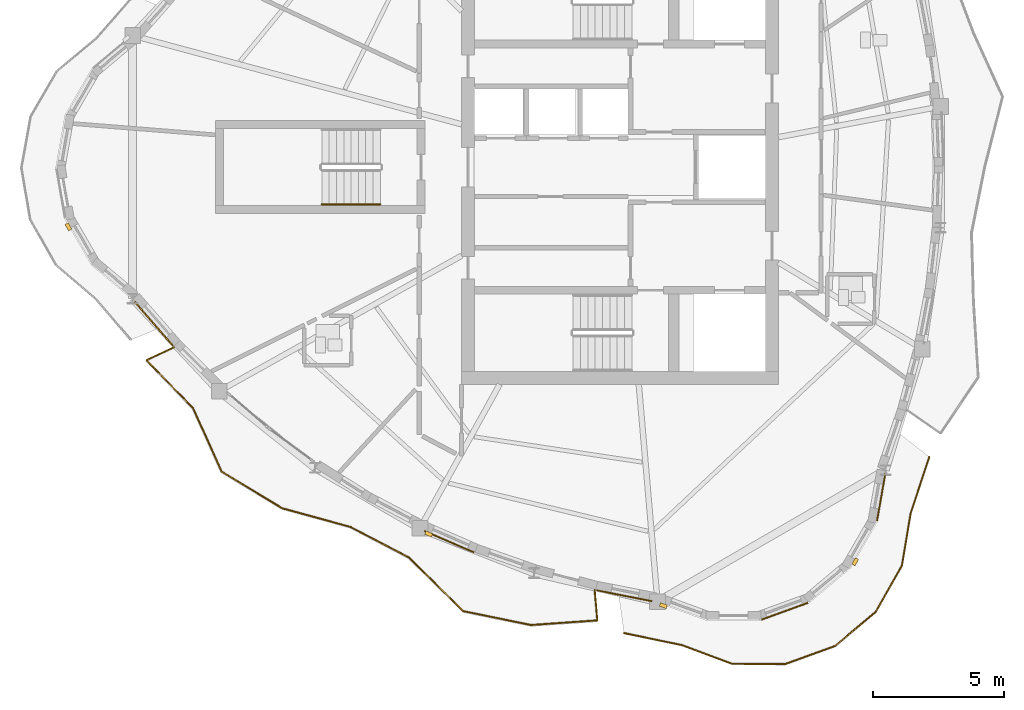
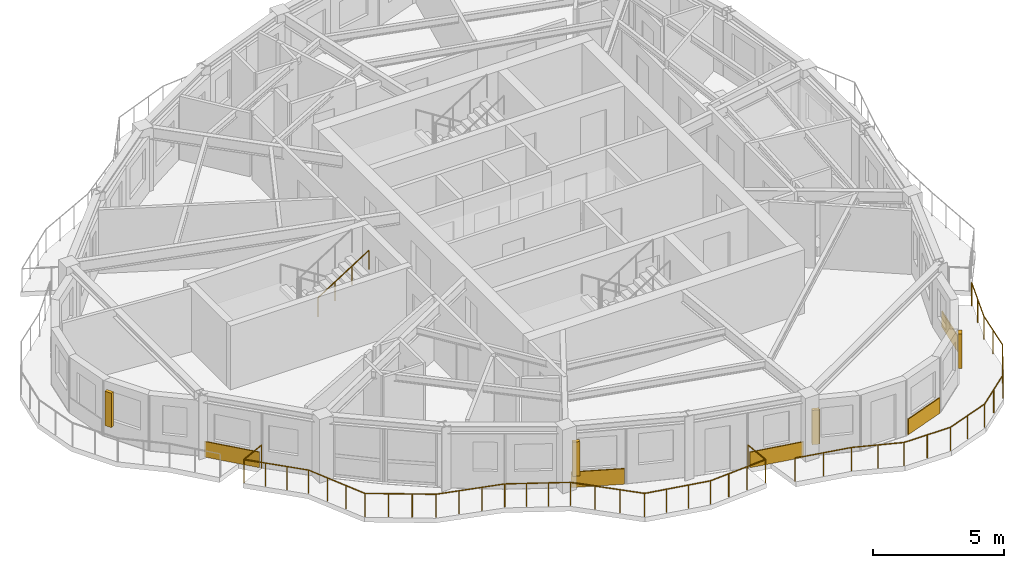
# One storey, part 10 of 13: 5 coverings, 4 shading devices, 3 railings.
"""IFC4 building model written with IfcOpenShell, lengths in metres."""

from ifc_helpers import new_model, si_unit, direction, frame, origin, origin_2d, place, context, subcontext, project, spatial, rectangle, circle, extrude, source, transform, mapped, material, layer, layer_set, type_object, element, save


model = new_model("IFC4")

# Units and contexts
model_context = context("Model", 3, precision=1e-05, world=origin(), true_north=direction((0.0, 1.0)))
body_context = subcontext(model_context, "Body", "Model", "MODEL_VIEW")
ifc_project = project(units=[si_unit("LENGTHUNIT", "METRE"), si_unit("AREAUNIT", "SQUARE_METRE"), si_unit("VOLUMEUNIT", "CUBIC_METRE"), si_unit("PLANEANGLEUNIT", "RADIAN"), si_unit("MASSUNIT", "GRAM", prefix="KILO")], contexts=[model_context])

# Site, building, storey
site_placement = place(None, origin())
site = spatial("IfcSite", under=ifc_project, at=site_placement, CompositionType="ELEMENT")
building_placement = place(site_placement, origin())
building = spatial("IfcBuilding", under=site, at=building_placement, Name="Qafzar Sky-Pleat Residences", CompositionType="ELEMENT")
storey_placement = place(building_placement, frame((0.0, 0.0, 195.60009765625)))
storey = spatial("IfcBuildingStorey", under=building, at=storey_placement, Name="L58", CompositionType="ELEMENT", Elevation=195.60009765625)

# Shading devices
ifc_material_1 = material(Name="Honed Riyadh limestone solar fin", Category="masonry")
ifc_layer_1 = layer(ifc_material_1, 0.139892578125)
ifc_layer_set_1 = layer_set([ifc_layer_1], Name="Honed Riyadh limestone solar fin")
shading_device_type = type_object("IfcShadingDeviceType", Name="SHD-FIN-STONE", PredefinedType="SHUTTER", material=ifc_layer_set_1)
shared_shape_1 = source(origin(), body_context, "Body", "SweptSolid", [
    extrude(rectangle(XDim=0.139892578125, YDim=0.280029296875, at=origin_2d()), origin(), (0.0, 0.0, 1.0), 1.60009765625),
])
for number, where, z_axis, x_axis, name in (
    (1, (9.28466796875, 23.72216796875, 0.599853515625), (0.0, 0.0, 1.0), (-0.86604422228, -0.499967403994, 0.0), "L58 Limestone Solar Fin 5"),
    (2, (23.043701171875, 11.990966796875, 0.599853515625), (0.0, 0.0, 1.0), (-0.398671159383, -0.917093946483, 0.0), "L58 Limestone Solar Fin 13"),
    (3, (32.003173828125, 9.256591796875, 0.599853515625), (0.0, 0.0, 1.0), (-0.342053959704, -0.939680311942, 0.0), "L58 Limestone Solar Fin 17"),
    (4, (39.330322265625, 10.930908203125, 0.599853515625), (0.0, 0.0, 1.0), (0.86604422228, -0.499967403994, 0.0), "L58 Limestone Solar Fin 21"),
):
    element("IfcShadingDevice", number, at=place(storey_placement, frame(where, z_axis=z_axis, x_axis=x_axis)), inside=storey, type_object=shading_device_type, Name=name, PredefinedType="SHUTTER", context=body_context, shape_type="MappedRepresentation", body=[
        mapped(shared_shape_1, transform((0.0, 0.0, 0.0), x_axis=(1.0, 0.0, 0.0), y_axis=(0.0, 1.0, 0.0), z_axis=(0.0, 0.0, 1.0), scale=1.0)),
    ])

# Coverings
ifc_material_2 = material(Name="Honed Riyadh Tuwaiq limestone cladding", Category="masonry")
ifc_layer_2 = layer(ifc_material_2, 0.044921875)
ifc_layer_set_2 = layer_set([ifc_layer_2], Name="Honed Riyadh Tuwaiq limestone cladding")
covering_type = type_object("IfcCoveringType", Name="COV-CLAD-STONE", PredefinedType="CLADDING", material=ifc_layer_set_2)
shared_shape_2 = source(origin(), body_context, "Body", "SweptSolid", [
    extrude(rectangle(XDim=1.88134765625, YDim=0.044921875, at=origin_2d()), origin(), (0.0, 0.0, 1.0), 0.719970703125),
])
covering_1_placement = place(storey_placement, frame((36.64111328125, 9.041748046875, 0.02001953125), z_axis=(0.0, 0.0, 1.0), x_axis=(0.939694209735, 0.342015777694, 0.0)))
element("IfcCovering", 5, at=covering_1_placement, inside=storey, type_object=covering_type, Name="L58 Riyadh Limestone Spandrel Cladding 19", PredefinedType="CLADDING", context=body_context, shape_type="MappedRepresentation", body=[
    mapped(shared_shape_2, transform((0.0, 0.0, 0.0), x_axis=(1.0, 0.0, 0.0), y_axis=(0.0, 1.0, 0.0), z_axis=(0.0, 0.0, 1.0), scale=1.0)),
])
shared_shape_3 = source(origin(), body_context, "Body", "SweptSolid", [
    extrude(rectangle(XDim=1.8291015625, YDim=0.044921875, at=origin_2d()), origin(), (0.0, 0.0, 1.0), 0.719970703125),
])
covering_2_placement = place(storey_placement, frame((40.32177734375, 13.40576171875, 0.02001953125), z_axis=(0.0, 0.0, 1.0), x_axis=(0.173695508338, 0.984799406165, 0.0)))
element("IfcCovering", 6, at=covering_2_placement, inside=storey, type_object=covering_type, Name="L58 Riyadh Limestone Spandrel Cladding 22", PredefinedType="CLADDING", context=body_context, shape_type="MappedRepresentation", body=[
    mapped(shared_shape_3, transform((0.0, 0.0, 0.0), x_axis=(1.0, 0.0, 0.0), y_axis=(0.0, 1.0, 0.0), z_axis=(0.0, 0.0, 1.0), scale=1.0)),
])

# Railings
ifc_material_3 = material(Name="Laminated glass and bronze steel balustrade", Category="steel")
railing_type_1 = type_object("IfcRailingType", Name="RAIL-BAL-1100", PredefinedType="BALUSTRADE", material=ifc_material_3)
shared_shape_4 = source(origin(), body_context, "Body", "SweptSolid", [
    extrude(circle(Radius=0.02392578125, at=origin_2d()), frame((0.0, 0.0, 1.076171875), z_axis=(-0.905536084906, -0.424269252873, 0.0), x_axis=(0.424269252873, -0.905536084906, 0.0)), (0.0, 0.0, 1.0), 1.177978515625),
    extrude(circle(Radius=0.02392578125, at=origin_2d()), frame((-1.066650390625, -0.499755859375, 1.076171875), z_axis=(0.69523722548, -0.718780356094, 0.0), x_axis=(0.718780356094, 0.69523722548, 0.0)), (0.0, 0.0, 1.0), 2.561279296875),
    extrude(circle(Radius=0.02392578125, at=origin_2d()), frame((0.714111328125, -2.3408203125, 1.076171875), z_axis=(0.409639012053, -0.912247707481, 0.0), x_axis=(0.912247707481, 0.409639012053, 0.0)), (0.0, 0.0, 1.0), 2.644287109375),
    extrude(circle(Radius=0.02392578125, at=origin_2d()), frame((1.79736328125, -4.753173828125, 1.076171875), z_axis=(0.855319046053, -0.518101659386, 0.0), x_axis=(0.518101659386, 0.855319046053, 0.0)), (0.0, 0.0, 1.0), 2.704833984375),
    extrude(circle(Radius=0.02392578125, at=origin_2d()), frame((4.11083984375, -6.154541015625, 1.076171875), z_axis=(0.964447609451, -0.264274116449, 0.0), x_axis=(0.264274116449, 0.964447609451, 0.0)), (0.0, 0.0, 1.0), 2.714111328125),
    extrude(circle(Radius=0.02392578125, at=origin_2d()), frame((6.728515625, -6.871826171875, 1.076171875), z_axis=(0.885758969061, -0.464145503832, 0.0), x_axis=(0.464145503832, 0.885758969061, 0.0)), (0.0, 0.0, 1.0), 2.502685546875),
    extrude(circle(Radius=0.02392578125, at=origin_2d()), frame((8.9453125, -8.033447265625, 1.076171875), z_axis=(0.71288863723, -0.701277256802, 0.0), x_axis=(0.701277256802, 0.71288863723, 0.0)), (0.0, 0.0, 1.0), 2.922607421875),
    extrude(circle(Radius=0.02392578125, at=origin_2d()), frame((11.02880859375, -10.0830078125, 1.076171875), z_axis=(0.9795526684, -0.201187896827, 0.0), x_axis=(0.201187896827, 0.9795526684, 0.0)), (0.0, 0.0, 1.0), 2.636962890625),
    extrude(circle(Radius=0.02392578125, at=origin_2d()), frame((13.61181640625, -10.613525390625, 1.076171875), z_axis=(0.997566397421, 0.069722899656, 0.0), x_axis=(-0.069722899656, 0.997566397421, 0.0)), (0.0, 0.0, 1.0), 2.53857421875),
    extrude(circle(Radius=0.02392578125, at=origin_2d()), frame((16.144287109375, -10.4365234375, 1.076171875), z_axis=(-0.085189498507, 0.996364767213, 0.0), x_axis=(-0.996364767213, -0.085189498507, 0.0)), (0.0, 0.0, 1.0), 1.177978515625),
    extrude(circle(Radius=0.02099609375, at=origin_2d()), origin(), (0.0, 0.0, 1.0), 1.052001953125),
    extrude(circle(Radius=0.02099609375, at=origin_2d()), frame((-1.066650390625, -0.499755859375, 0.0)), (0.0, 0.0, 1.0), 1.052001953125),
    extrude(circle(Radius=0.02099609375, at=origin_2d()), frame((-0.47314453125, -1.113525390625, 0.0)), (0.0, 0.0, 1.0), 1.052001953125),
    extrude(circle(Radius=0.02099609375, at=origin_2d()), frame((0.12060546875, -1.72705078125, 0.0)), (0.0, 0.0, 1.0), 1.052001953125),
    extrude(circle(Radius=0.02099609375, at=origin_2d()), frame((0.714111328125, -2.3408203125, 0.0)), (0.0, 0.0, 1.0), 1.052001953125),
    extrude(circle(Radius=0.02099609375, at=origin_2d()), frame((1.0751953125, -3.14501953125, 0.0)), (0.0, 0.0, 1.0), 1.052001953125),
    extrude(circle(Radius=0.02099609375, at=origin_2d()), frame((1.436279296875, -3.948974609375, 0.0)), (0.0, 0.0, 1.0), 1.052001953125),
    extrude(circle(Radius=0.02099609375, at=origin_2d()), frame((1.79736328125, -4.753173828125, 0.0)), (0.0, 0.0, 1.0), 1.052001953125),
    extrude(circle(Radius=0.02099609375, at=origin_2d()), frame((2.568603515625, -5.22021484375, 0.0)), (0.0, 0.0, 1.0), 1.052001953125),
    extrude(circle(Radius=0.02099609375, at=origin_2d()), frame((3.339599609375, -5.6875, 0.0)), (0.0, 0.0, 1.0), 1.052001953125),
    extrude(circle(Radius=0.02099609375, at=origin_2d()), frame((4.11083984375, -6.154541015625, 0.0)), (0.0, 0.0, 1.0), 1.052001953125),
    extrude(circle(Radius=0.02099609375, at=origin_2d()), frame((4.9833984375, -6.3935546875, 0.0)), (0.0, 0.0, 1.0), 1.052001953125),
    extrude(circle(Radius=0.02099609375, at=origin_2d()), frame((5.85595703125, -6.6328125, 0.0)), (0.0, 0.0, 1.0), 1.052001953125),
    extrude(circle(Radius=0.02099609375, at=origin_2d()), frame((6.728515625, -6.871826171875, 0.0)), (0.0, 0.0, 1.0), 1.052001953125),
    extrude(circle(Radius=0.02099609375, at=origin_2d()), frame((7.467529296875, -7.259033203125, 0.0)), (0.0, 0.0, 1.0), 1.052001953125),
    extrude(circle(Radius=0.02099609375, at=origin_2d()), frame((8.206298828125, -7.646240234375, 0.0)), (0.0, 0.0, 1.0), 1.052001953125),
    extrude(circle(Radius=0.02099609375, at=origin_2d()), frame((8.9453125, -8.033447265625, 0.0)), (0.0, 0.0, 1.0), 1.052001953125),
    extrude(circle(Radius=0.02099609375, at=origin_2d()), frame((9.639892578125, -8.716552734375, 0.0)), (0.0, 0.0, 1.0), 1.052001953125),
    extrude(circle(Radius=0.02099609375, at=origin_2d()), frame((10.334228515625, -9.39990234375, 0.0)), (0.0, 0.0, 1.0), 1.052001953125),
    extrude(circle(Radius=0.02099609375, at=origin_2d()), frame((11.02880859375, -10.0830078125, 0.0)), (0.0, 0.0, 1.0), 1.052001953125),
    extrude(circle(Radius=0.02099609375, at=origin_2d()), frame((11.889892578125, -10.259765625, 0.0)), (0.0, 0.0, 1.0), 1.052001953125),
    extrude(circle(Radius=0.02099609375, at=origin_2d()), frame((12.750732421875, -10.436767578125, 0.0)), (0.0, 0.0, 1.0), 1.052001953125),
    extrude(circle(Radius=0.02099609375, at=origin_2d()), frame((13.61181640625, -10.613525390625, 0.0)), (0.0, 0.0, 1.0), 1.052001953125),
    extrude(circle(Radius=0.02099609375, at=origin_2d()), frame((14.4560546875, -10.554443359375, 0.0)), (0.0, 0.0, 1.0), 1.052001953125),
    extrude(circle(Radius=0.02099609375, at=origin_2d()), frame((15.300048828125, -10.49560546875, 0.0)), (0.0, 0.0, 1.0), 1.052001953125),
    extrude(circle(Radius=0.02099609375, at=origin_2d()), frame((16.144287109375, -10.4365234375, 0.0)), (0.0, 0.0, 1.0), 1.052001953125),
    extrude(circle(Radius=0.02099609375, at=origin_2d()), frame((16.0439453125, -9.262939453125, 0.0)), (0.0, 0.0, 1.0), 1.052001953125),
])
railing_1_placement = place(storey_placement, frame((13.33740234375, 19.129638671875, 0.0)))
element("IfcRailing", 7, at=railing_1_placement, inside=storey, type_object=railing_type_1, Name="L58 Pleated Balcony 3 Balustrade", PredefinedType="BALUSTRADE", context=body_context, shape_type="MappedRepresentation", body=[
    mapped(shared_shape_4, transform((0.0, 0.0, 0.0), x_axis=(1.0, 0.0, 0.0), y_axis=(0.0, 1.0, 0.0), z_axis=(0.0, 0.0, 1.0), scale=1.0)),
])
shared_shape_5 = source(origin(), body_context, "Body", "SweptSolid", [
    extrude(circle(Radius=0.02392578125, at=origin_2d()), frame((0.0, 0.0, 1.076171875), z_axis=(-0.313353194125, -0.949636654585, 0.0), x_axis=(0.949636654585, -0.313353194125, 0.0)), (0.0, 0.0, 1.0), 2.268798828125),
    extrude(circle(Radius=0.02392578125, at=origin_2d()), frame((-0.7109375, -2.154541015625, 1.076171875), z_axis=(-0.164457513979, -0.986384167602, 0.0), x_axis=(0.986384167602, -0.164457513979, 0.0)), (0.0, 0.0, 1.0), 2.029296875),
    extrude(circle(Radius=0.02392578125, at=origin_2d()), frame((-1.044677734375, -4.15625, 1.076171875), z_axis=(-0.495127646219, -0.868820242599, 0.0), x_axis=(0.868820242599, -0.495127646219, 0.0)), (0.0, 0.0, 1.0), 2.028564453125),
    extrude(circle(Radius=0.02392578125, at=origin_2d()), frame((-2.049072265625, -5.918701171875, 1.076171875), z_axis=(-0.764786314334, -0.644284016105, 0.0), x_axis=(0.644284016105, -0.764786314334, 0.0)), (0.0, 0.0, 1.0), 2.028076171875),
    extrude(circle(Radius=0.02392578125, at=origin_2d()), frame((-3.60009765625, -7.225341796875, 1.076171875), z_axis=(-0.940309028289, -0.340321805527, 0.0), x_axis=(0.340321805527, -0.940309028289, 0.0)), (0.0, 0.0, 1.0), 2.028076171875),
    extrude(circle(Radius=0.02392578125, at=origin_2d()), frame((-5.507080078125, -7.91552734375, 1.076171875), z_axis=(-0.999983314313, 0.005776772065, 0.0), x_axis=(-0.005776772065, -0.999983314313, 0.0)), (0.0, 0.0, 1.0), 2.028564453125),
    extrude(circle(Radius=0.02392578125, at=origin_2d()), frame((-7.53564453125, -7.90380859375, 1.076171875), z_axis=(-0.936462583088, 0.350767487769, 0.0), x_axis=(-0.350767487769, -0.936462583088, 0.0)), (0.0, 0.0, 1.0), 2.029541015625),
    extrude(circle(Radius=0.02392578125, at=origin_2d()), frame((-9.436279296875, -7.19189453125, 1.076171875), z_axis=(-0.979118077332, 0.203292377235, 0.0), x_axis=(-0.203292377235, -0.979118077332, 0.0)), (0.0, 0.0, 1.0), 2.2685546875),
    extrude(circle(Radius=0.02099609375, at=origin_2d()), origin(), (0.0, 0.0, 1.0), 1.052001953125),
    extrude(circle(Radius=0.02099609375, at=origin_2d()), frame((-0.35546875, -1.0771484375, 0.0)), (0.0, 0.0, 1.0), 1.052001953125),
    extrude(circle(Radius=0.02099609375, at=origin_2d()), frame((-0.7109375, -2.154541015625, 0.0)), (0.0, 0.0, 1.0), 1.052001953125),
    extrude(circle(Radius=0.02099609375, at=origin_2d()), frame((-0.8779296875, -3.1552734375, 0.0)), (0.0, 0.0, 1.0), 1.052001953125),
    extrude(circle(Radius=0.02099609375, at=origin_2d()), frame((-1.044677734375, -4.15625, 0.0)), (0.0, 0.0, 1.0), 1.052001953125),
    extrude(circle(Radius=0.02099609375, at=origin_2d()), frame((-1.546875, -5.03759765625, 0.0)), (0.0, 0.0, 1.0), 1.052001953125),
    extrude(circle(Radius=0.02099609375, at=origin_2d()), frame((-2.049072265625, -5.918701171875, 0.0)), (0.0, 0.0, 1.0), 1.052001953125),
    extrude(circle(Radius=0.02099609375, at=origin_2d()), frame((-2.82470703125, -6.572021484375, 0.0)), (0.0, 0.0, 1.0), 1.052001953125),
    extrude(circle(Radius=0.02099609375, at=origin_2d()), frame((-3.60009765625, -7.225341796875, 0.0)), (0.0, 0.0, 1.0), 1.052001953125),
    extrude(circle(Radius=0.02099609375, at=origin_2d()), frame((-4.5537109375, -7.5703125, 0.0)), (0.0, 0.0, 1.0), 1.052001953125),
    extrude(circle(Radius=0.02099609375, at=origin_2d()), frame((-5.507080078125, -7.91552734375, 0.0)), (0.0, 0.0, 1.0), 1.052001953125),
    extrude(circle(Radius=0.02099609375, at=origin_2d()), frame((-6.521484375, -7.90966796875, 0.0)), (0.0, 0.0, 1.0), 1.052001953125),
    extrude(circle(Radius=0.02099609375, at=origin_2d()), frame((-7.53564453125, -7.90380859375, 0.0)), (0.0, 0.0, 1.0), 1.052001953125),
    extrude(circle(Radius=0.02099609375, at=origin_2d()), frame((-8.48583984375, -7.5478515625, 0.0)), (0.0, 0.0, 1.0), 1.052001953125),
    extrude(circle(Radius=0.02099609375, at=origin_2d()), frame((-9.436279296875, -7.19189453125, 0.0)), (0.0, 0.0, 1.0), 1.052001953125),
    extrude(circle(Radius=0.02099609375, at=origin_2d()), frame((-10.546875, -6.96142578125, 0.0)), (0.0, 0.0, 1.0), 1.052001953125),
    extrude(circle(Radius=0.02099609375, at=origin_2d()), frame((-11.657470703125, -6.730712890625, 0.0)), (0.0, 0.0, 1.0), 1.052001953125),
])
railing_2_placement = place(storey_placement, frame((42.157958984375, 14.938720703125, 0.0)))
element("IfcRailing", 8, at=railing_2_placement, inside=storey, type_object=railing_type_1, Name="L58 Corner Terrace 3 Balustrade", PredefinedType="BALUSTRADE", context=body_context, shape_type="MappedRepresentation", body=[
    mapped(shared_shape_5, transform((0.0, 0.0, 0.0), x_axis=(1.0, 0.0, 0.0), y_axis=(0.0, 1.0, 0.0), z_axis=(0.0, 0.0, 1.0), scale=1.0)),
])

# Coverings
shared_shape_6 = source(origin(), body_context, "Body", "SweptSolid", [
    extrude(rectangle(XDim=2.21728515625, YDim=0.044921875, at=origin_2d()), origin(), (0.0, 0.0, 1.0), 0.719970703125),
])
covering_3_placement = place(storey_placement, frame((12.546630859375, 20.01953125, 0.02001953125), z_axis=(0.0, 0.0, 1.0), x_axis=(0.65760755629, -0.753360671863, 0.0)))
element("IfcCovering", 9, at=covering_3_placement, inside=storey, type_object=covering_type, Name="L58 Riyadh Limestone Spandrel Cladding 7", PredefinedType="CLADDING", context=body_context, shape_type="MappedRepresentation", body=[
    mapped(shared_shape_6, transform((0.0, 0.0, 0.0), x_axis=(1.0, 0.0, 0.0), y_axis=(0.0, 1.0, 0.0), z_axis=(0.0, 0.0, 1.0), scale=1.0)),
])
shared_shape_7 = source(origin(), body_context, "Body", "SweptSolid", [
    extrude(rectangle(XDim=2.04931640625, YDim=0.044921875, at=origin_2d()), origin(), (0.0, 0.0, 1.0), 0.719970703125),
])
covering_4_placement = place(storey_placement, frame((23.82666015625, 11.697509765625, 0.02001953125), z_axis=(0.0, 0.0, 1.0), x_axis=(0.917088208858, -0.398684357824, 0.0)))
element("IfcCovering", 10, at=covering_4_placement, inside=storey, type_object=covering_type, Name="L58 Riyadh Limestone Spandrel Cladding 13", PredefinedType="CLADDING", context=body_context, shape_type="MappedRepresentation", body=[
    mapped(shared_shape_7, transform((0.0, 0.0, 0.0), x_axis=(1.0, 0.0, 0.0), y_axis=(0.0, 1.0, 0.0), z_axis=(0.0, 0.0, 1.0), scale=1.0)),
])
shared_shape_8 = source(origin(), body_context, "Body", "SweptSolid", [
    extrude(rectangle(XDim=2.154296875, YDim=0.044921875, at=origin_2d()), origin(), (0.0, 0.0, 1.0), 0.719970703125),
])
covering_5_placement = place(storey_placement, frame((30.51318359375, 9.633544921875, 0.02001953125), z_axis=(0.0, 0.0, 1.0), x_axis=(0.981235554426, -0.192812828229, 0.0)))
element("IfcCovering", 11, at=covering_5_placement, inside=storey, type_object=covering_type, Name="L58 Riyadh Limestone Spandrel Cladding 16", PredefinedType="CLADDING", context=body_context, shape_type="MappedRepresentation", body=[
    mapped(shared_shape_8, transform((0.0, 0.0, 0.0), x_axis=(1.0, 0.0, 0.0), y_axis=(0.0, 1.0, 0.0), z_axis=(0.0, 0.0, 1.0), scale=1.0)),
])

# Railing
ifc_material_4 = material(Name="Brushed stainless steel handrail", Category="steel")
railing_type_2 = type_object("IfcRailingType", Name="RAIL-STAIR-HAND", PredefinedType="HANDRAIL", material=ifc_material_4)
shared_shape_9 = source(origin(), body_context, "Body", "SweptSolid", [
    extrude(circle(Radius=0.02392578125, at=origin_2d()), frame((0.0, 0.0, 0.8759765625), z_axis=(0.84418770128, 0.0, 0.536047689118), x_axis=(0.0, 1.0, 0.0)), (0.0, 0.0, 1.0), 2.6533203125),
    extrude(circle(Radius=0.02099609375, at=origin_2d()), origin(), (0.0, 0.0, 1.0), 0.851806640625),
    extrude(circle(Radius=0.02099609375, at=origin_2d()), frame((0.74658203125, 0.0, 0.47412109375)), (0.0, 0.0, 1.0), 0.851806640625),
    extrude(circle(Radius=0.02099609375, at=origin_2d()), frame((1.493408203125, 0.0, 0.9482421875)), (0.0, 0.0, 1.0), 0.851806640625),
    extrude(circle(Radius=0.02099609375, at=origin_2d()), frame((2.239990234375, 0.0, 1.42236328125)), (0.0, 0.0, 1.0), 0.851806640625),
])
railing_3_placement = place(storey_placement, frame((18.9599609375, 24.574951171875, 1.777587890625)))
element("IfcRailing", 12, at=railing_3_placement, inside=storey, type_object=railing_type_2, Name="L58 ST3 stair handrail 2", PredefinedType="HANDRAIL", context=body_context, shape_type="MappedRepresentation", body=[
    mapped(shared_shape_9, transform((0.0, 0.0, 0.0), x_axis=(1.0, 0.0, 0.0), y_axis=(0.0, 1.0, 0.0), z_axis=(0.0, 0.0, 1.0), scale=1.0)),
])

save(model, "model.ifc")
